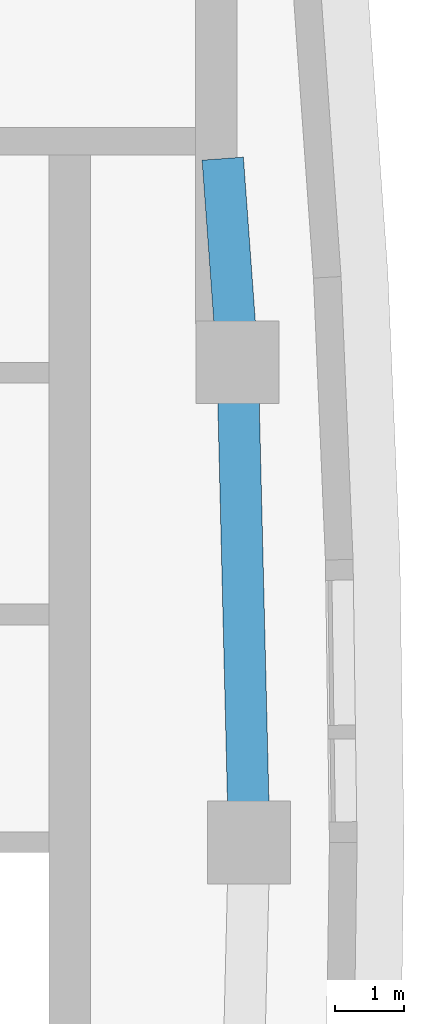
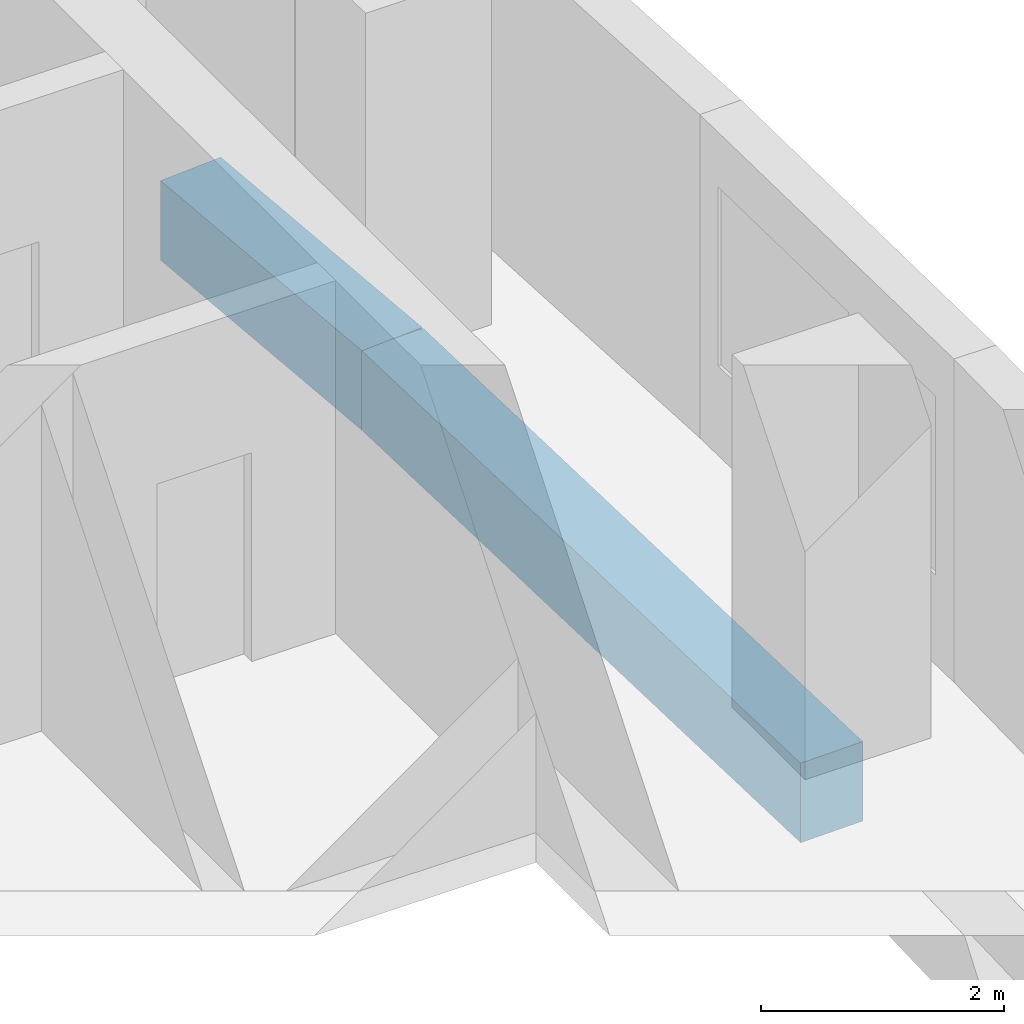
# One storey, part 5 of 15: 2 beams.
"""IFC4 building model written with IfcOpenShell, lengths in metres."""

from ifc_helpers import new_model, si_unit, direction, frame, origin, origin_2d, place, context, subcontext, project, spatial, rectangle, extrude, material, material_profile, profile_set, type_object, element, save


model = new_model("IFC4")

# Units and contexts
model_context = context("Model", 3, precision=1e-05, world=origin(), true_north=direction((0.0, 1.0)))
body_context = subcontext(model_context, "Body", "Model", "MODEL_VIEW")
ifc_project = project(units=[si_unit("LENGTHUNIT", "METRE"), si_unit("AREAUNIT", "SQUARE_METRE"), si_unit("VOLUMEUNIT", "CUBIC_METRE"), si_unit("PLANEANGLEUNIT", "RADIAN"), si_unit("MASSUNIT", "GRAM", prefix="KILO")], contexts=[model_context])

# Site, building, storey
site_placement = place(None, origin())
site = spatial("IfcSite", under=ifc_project, at=site_placement, CompositionType="ELEMENT")
building_placement = place(site_placement, origin())
building = spatial("IfcBuilding", under=site, at=building_placement, Name="Ostrand Prow Hotel Tower", CompositionType="ELEMENT")
storey_placement = place(building_placement, frame((0.0, 0.0, 238.550048828125)))
storey = spatial("IfcBuildingStorey", under=building, at=storey_placement, Name="L60", CompositionType="ELEMENT", Elevation=238.550048828125)

# Beams
ifc_material = material(Name="Concrete C50/60", Category="concrete")
ifc_material_profile = material_profile(ifc_material, rectangle(XDim=0.60009765625, YDim=0.800048828125, at=origin_2d()), Name="RC 600x800")
ifc_profile_set = profile_set([ifc_material_profile], Name="Concrete C50/60")
beam_type = type_object("IfcBeamType", Name="Edge beam 600x800 C50/60", PredefinedType="SPANDREL", material=ifc_profile_set)
beam_1_placement = place(storey_placement, frame((64.5, 0.0, -0.699951171875), z_axis=(-0.024223820991, 0.999706560195, 0.0), x_axis=(-0.999706560195, -0.024223820991, 0.0)))
element("IfcBeam", 1, at=beam_1_placement, inside=storey, type_object=beam_type, Name="Edge beam B3-B4", PredefinedType="SPANDREL", context=body_context, shape_type="SweptSolid", body=[
    extrude(rectangle(XDim=0.60009765625, YDim=0.800048828125, at=origin_2d()), origin(), (0.0, 0.0, 1.0), 6.9541015625),
])
beam_2_placement = place(storey_placement, frame((64.33154296875, 6.9521484375, -0.699951171875), z_axis=(-0.072691068771, 0.997354504938, 0.0), x_axis=(-0.997354504938, -0.072691068771, 0.0)))
element("IfcBeam", 2, at=beam_2_placement, inside=storey, type_object=beam_type, Name="Edge beam B4-B5", PredefinedType="SPANDREL", context=body_context, shape_type="SweptSolid", body=[
    extrude(rectangle(XDim=0.60009765625, YDim=0.800048828125, at=origin_2d()), origin(), (0.0, 0.0, 1.0), 2.95556640625),
])

save(model, "model.ifc")
